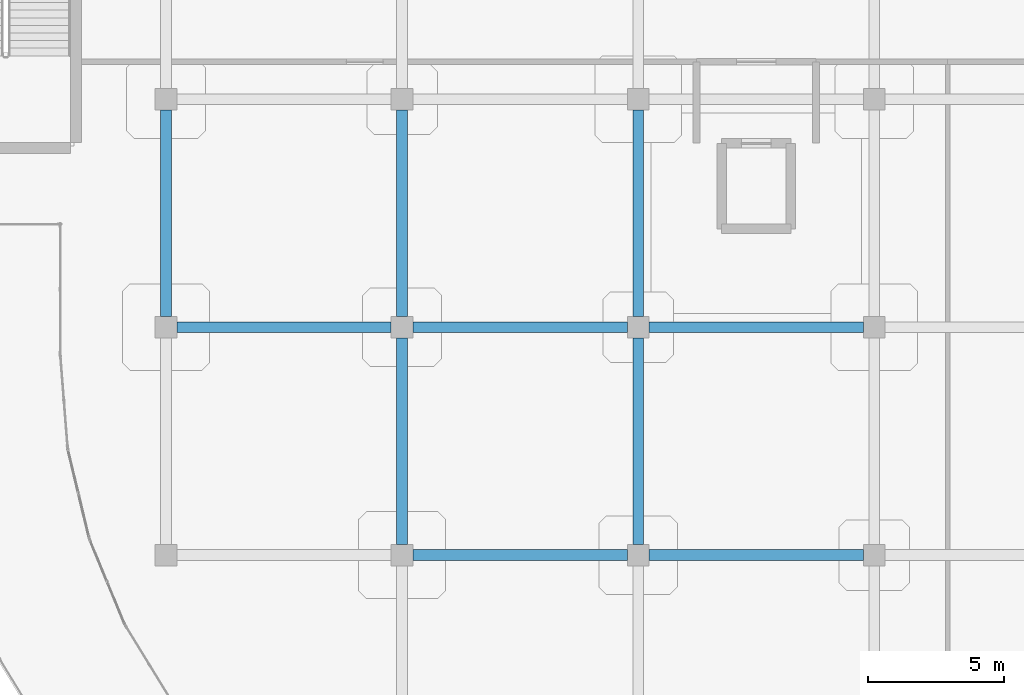
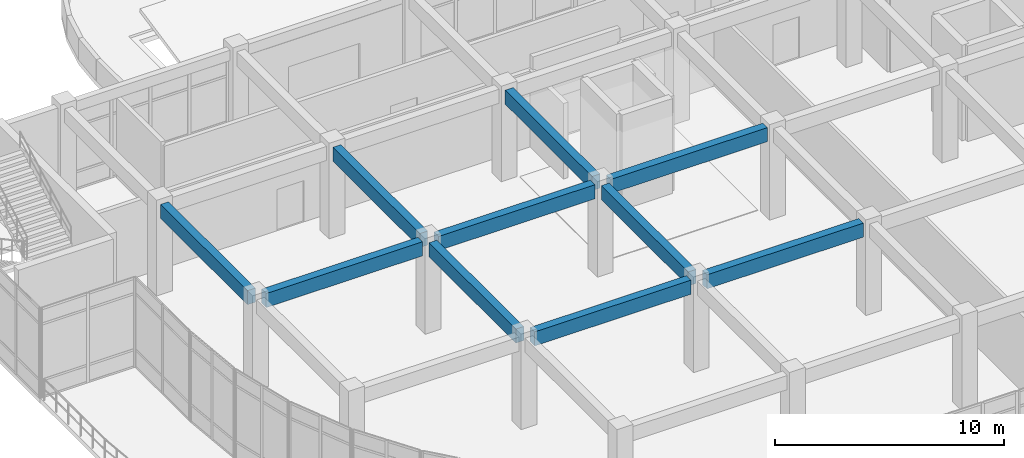
# One storey, part 9 of 124: 10 beams.
"""IFC4 building model written with IfcOpenShell, lengths in metres."""

import ifcopenshell
import ifcopenshell.guid

model = None  # the IFC model being written
_history = None  # IfcOwnerHistory: only IFC2X3 demands one
_inside = {}  # id of a spatial element -> (the spatial element, [elements in it])
_under = {}  # id of a project, library or spatial element -> (it, [spatial elements below it])
_declared = {}  # id of a project -> (the project, [libraries it declares])
_typed = {}  # id of a type object -> (the type object, [elements of that type])
_made_of = {}  # id of a material, layer set ... -> (it, [elements and type objects made of it])


def new_model(schema):
    """Start an empty IFC model of exactly this schema.

    Asked for "IFC4X3", IfcOpenShell would pick the latest addendum, in which some entities
    have other attributes; the version numbers below select the first issue.
    IFC2X3 requires an IfcOwnerHistory on every rooted entity: one is made here for all.
    """
    global model, _history
    if schema == "IFC4X3":
        model = ifcopenshell.file(schema_version=(4, 3, 0, 0))
    else:
        model = ifcopenshell.file(schema=schema)
    _inside.clear()
    _under.clear()
    _declared.clear()
    _typed.clear()
    _made_of.clear()
    _history = None
    if model.schema == "IFC2X3":
        org = make("IfcOrganization", Name="unknown")
        user = make(
            "IfcPersonAndOrganization",
            ThePerson=make("IfcPerson", FamilyName="unknown"),
            TheOrganization=org,
        )
        app = make(
            "IfcApplication",
            ApplicationDeveloper=org,
            Version="unknown",
            ApplicationFullName="unknown",
            ApplicationIdentifier="unknown",
        )
        _history = make(
            "IfcOwnerHistory",
            OwningUser=user,
            OwningApplication=app,
            ChangeAction="ADDED",
            CreationDate=0,
        )
    return model


def make(cls, **values):
    """One entity of the class cls with the attributes given. An attribute that is None is left unset."""
    return model.create_entity(
        cls, **{name: value for name, value in values.items() if value is not None}
    )


def rooted(cls, **values):
    """An entity with a GlobalId (a new one), such as an element, a storey or a relation."""
    return make(cls, GlobalId=ifcopenshell.guid.new(), OwnerHistory=_history, **values)


def si_unit(unit_type, name, prefix=None):
    """IfcSIUnit, for example si_unit("LENGTHUNIT", "METRE", prefix="MILLI")."""
    return make("IfcSIUnit", UnitType=unit_type, Prefix=prefix, Name=name)


def derived_unit(unit_type, elements):
    """IfcDerivedUnit: a product of units, each with its exponent."""
    return make(
        "IfcDerivedUnit",
        Elements=[
            make("IfcDerivedUnitElement", Unit=unit, Exponent=power)
            for unit, power in elements
        ],
        UnitType=unit_type,
    )


def assignment(units):
    """IfcUnitAssignment: the units of a project."""
    return None if units is None else make("IfcUnitAssignment", Units=units)


def point(xyz):
    """IfcCartesianPoint."""
    return None if xyz is None else make("IfcCartesianPoint", Coordinates=xyz)


def direction(xyz):
    """IfcDirection."""
    return None if xyz is None else make("IfcDirection", DirectionRatios=xyz)


def frame(location, z_axis=None, x_axis=None):
    """IfcAxis2Placement3D, a coordinate frame: its origin and axes. An axis left out is left unset."""
    return make(
        "IfcAxis2Placement3D",
        Location=point(location),
        Axis=direction(z_axis),
        RefDirection=direction(x_axis),
    )


def frame_2d(location, x_axis=None):
    """IfcAxis2Placement2D, a coordinate frame in the plane: its origin and x axis."""
    return make(
        "IfcAxis2Placement2D", Location=point(location), RefDirection=direction(x_axis)
    )


def origin():
    """The frame at (0, 0, 0) with its axes left unset."""
    return frame((0.0, 0.0, 0.0))


def origin_2d():
    """The frame at (0, 0) in the plane with its x axis left unset."""
    return frame_2d((0.0, 0.0))


def place(relative_to, where):
    """IfcLocalPlacement: puts the frame where relative to a parent placement (None: the world)."""
    return make(
        "IfcLocalPlacement", PlacementRelTo=relative_to, RelativePlacement=where
    )


def context(
    kind, dimensions, precision=None, world=None, true_north=None, identifier=None
):
    """IfcGeometricRepresentationContext, for example the 3D "Model" context."""
    return make(
        "IfcGeometricRepresentationContext",
        ContextIdentifier=identifier,
        ContextType=kind,
        CoordinateSpaceDimension=dimensions,
        Precision=precision,
        WorldCoordinateSystem=world,
        TrueNorth=true_north,
    )


def subcontext(parent, identifier, kind, view, scale=None):
    """IfcGeometricRepresentationSubContext, for example "Body" below "Model"."""
    return make(
        "IfcGeometricRepresentationSubContext",
        ContextIdentifier=identifier,
        ContextType=kind,
        ParentContext=parent,
        TargetScale=scale,
        TargetView=view,
    )


def project(units=None, contexts=None):
    """IfcProject with its units and contexts."""
    return rooted(
        "IfcProject",
        Name="project",
        RepresentationContexts=contexts,
        UnitsInContext=assignment(units),
    )


def spatial(cls, under=None, at=None, **own):
    """A site, building, storey or space (cls), placed at a placement, below another one or the project."""
    s = rooted(cls, ObjectPlacement=at, **own)
    if under is not None:
        _under.setdefault(under.id(), (under, []))[1].append(s)
    return s


def profile(cls, at=None, kind="AREA", **sizes):
    """A parametric profile (cls). Its sizes go by their IFC names, for example OverallWidth=200.0."""
    return make(cls, ProfileType=kind, Position=at, **sizes)


def rectangle(**sizes):
    """IfcRectangleProfileDef."""
    return profile("IfcRectangleProfileDef", **sizes)


def extrude(swept, where, along, depth):
    """IfcExtrudedAreaSolid: the profile swept, set in the frame where, extruded along a direction by depth."""
    return make(
        "IfcExtrudedAreaSolid",
        SweptArea=swept,
        Position=where,
        ExtrudedDirection=direction(along),
        Depth=depth,
    )


def shape(context_of_items, identifier, shape_type, items):
    """IfcShapeRepresentation: the items that make up one representation, for example the "Body"."""
    return make(
        "IfcShapeRepresentation",
        ContextOfItems=context_of_items,
        RepresentationIdentifier=identifier,
        RepresentationType=shape_type,
        Items=items,
    )


def material(Name=None, Category=None):
    """IfcMaterial."""
    return make("IfcMaterial", Name=Name, Category=Category)


def material_profile(
    of_material, cross_section, Name=None, Category=None, Priority=None
):
    """IfcMaterialProfile: a cross section and its material."""
    return make(
        "IfcMaterialProfile",
        Name=Name,
        Material=of_material,
        Profile=cross_section,
        Priority=Priority,
        Category=Category,
    )


def profile_set(profiles, Name=None, composite=None):
    """IfcMaterialProfileSet."""
    return make(
        "IfcMaterialProfileSet",
        Name=Name,
        MaterialProfiles=profiles,
        CompositeProfile=composite,
    )


def made_of(thing, what):
    """Note that an element or type object is made of a material, layer set ...; save() writes the relation."""
    if what is not None:
        _made_of.setdefault(what.id(), (what, []))[1].append(thing)
    return thing


def type_object(cls, material=None, **own):
    """A type object (cls), such as IfcWallType, which elements share."""
    return made_of(rooted(cls, **own), material)


def element(
    cls,
    number,
    at=None,
    inside=None,
    cuts=None,
    type_object=None,
    material=None,
    context=None,
    identifier="Body",
    shape_type=None,
    held_by="IfcProductDefinitionShape",
    body=None,
    shapes=None,
    **own,
):
    """One element of the class cls, such as IfcWall. Its Tag is "e" and its number.

    at: its placement. inside: the storey or other place that contains it. cuts: it is an
    opening in that element (IfcRelVoidsElement). A single representation is given by context,
    identifier, shape_type and body (its items); several are given by shapes. held_by: the class
    of the entity that holds the representations. save() writes the other relations.
    """
    e = rooted(cls, Tag="e%d" % number, ObjectPlacement=at, **own)
    if body is not None:
        shapes = [shape(context, identifier, shape_type, body)]
    if shapes is not None:
        e.Representation = make(held_by, Representations=shapes)
    if inside is not None:
        _inside.setdefault(inside.id(), (inside, []))[1].append(e)
    if cuts is not None:
        rooted(
            "IfcRelVoidsElement", RelatingBuildingElement=cuts, RelatedOpeningElement=e
        )
    if type_object is not None:
        _typed.setdefault(type_object.id(), (type_object, []))[1].append(e)
    return made_of(e, material)


def aggregate(whole, parts):
    """IfcRelAggregates: a whole, such as a stair, and the parts it consists of."""
    return rooted("IfcRelAggregates", RelatingObject=whole, RelatedObjects=parts)


def save(model, path):
    """Write the relations noted so far, then the file.

    IfcRelAggregates (storeys below a building ...), IfcRelContainedInSpatialStructure (elements
    in a storey), IfcRelDefinesByType, IfcRelAssociatesMaterial and IfcRelDeclares: one each for
    every whole, place, type object, material and project.
    """
    for whole, parts in _under.values():
        aggregate(whole, parts)
    for where, things in _inside.values():
        rooted(
            "IfcRelContainedInSpatialStructure",
            RelatedElements=things,
            RelatingStructure=where,
        )
    for kind, things in _typed.values():
        rooted("IfcRelDefinesByType", RelatedObjects=things, RelatingType=kind)
    for what, things in _made_of.values():
        rooted("IfcRelAssociatesMaterial", RelatedObjects=things, RelatingMaterial=what)
    for by, libraries in _declared.values():
        rooted("IfcRelDeclares", RelatingContext=by, RelatedDefinitions=libraries)
    model.write(path)


model = new_model("IFC4")

# Units and contexts
model_context = context("Model", 3, precision=1e-05, world=origin(), true_north=direction((0.0, 1.0)))
body_context = subcontext(model_context, "Body", "Model", "MODEL_VIEW")
ifc_project = project(units=[si_unit("LENGTHUNIT", "METRE"), si_unit("AREAUNIT", "SQUARE_METRE"), si_unit("VOLUMEUNIT", "CUBIC_METRE"), si_unit("PLANEANGLEUNIT", "RADIAN"), si_unit("MASSUNIT", "GRAM", prefix="KILO"), derived_unit("THERMALTRANSMITTANCEUNIT", [(si_unit("MASSUNIT", "GRAM", prefix="KILO"), 1), (si_unit("TIMEUNIT", "SECOND"), -3), (si_unit("THERMODYNAMICTEMPERATUREUNIT", "KELVIN"), -1)])], contexts=[model_context])

# Site, building, storey
site_placement = place(None, origin())
site = spatial("IfcSite", under=ifc_project, at=site_placement, CompositionType="ELEMENT")
building_placement = place(site_placement, origin())
building = spatial("IfcBuilding", under=site, at=building_placement, Name="Qinzheling Arcade Emporium", CompositionType="ELEMENT")
storey_placement = place(building_placement, frame((0.0, 0.0, 16.5)))
storey = spatial("IfcBuildingStorey", under=building, at=storey_placement, Name="L04", CompositionType="ELEMENT", Elevation=16.5)

# Beams
ifc_material = material(Name="Concrete C40", Category="concrete")
ifc_material_profile = material_profile(ifc_material, rectangle(XDim=0.39990234375, YDim=0.75, at=origin_2d()), Name="RC 400x750", Category="concrete")
ifc_profile_set = profile_set([ifc_material_profile], Name="Concrete C40")
beam_type = type_object("IfcBeamType", Name="RC Interior Tie Beam 400x750 C40", PredefinedType="BEAM", material=ifc_profile_set)
for number, where, z_axis, x_axis, name in (
    (1, (17.800048828125, 16.800048828125, 4.445068359375), (1.0, 0.0, 0.0), (0.0, 1.0, 0.0), "Beam BM-L04-X-C-3"),
    (2, (26.5, 16.800048828125, 4.445068359375), (1.0, 0.0, 0.0), (0.0, 1.0, 0.0), "Beam BM-L04-X-C-4"),
    (3, (9.10009765625, 25.199951171875, 4.445068359375), (1.0, 0.0, 0.0), (0.0, 1.0, 0.0), "Beam BM-L04-X-D-2"),
    (4, (17.800048828125, 25.199951171875, 4.445068359375), (1.0, 0.0, 0.0), (0.0, 1.0, 0.0), "Beam BM-L04-X-D-3"),
    (5, (26.5, 25.199951171875, 4.445068359375), (1.0, 0.0, 0.0), (0.0, 1.0, 0.0), "Beam BM-L04-X-D-4"),
):
    element("IfcBeam", number, at=place(storey_placement, frame(where, z_axis=z_axis, x_axis=x_axis)), inside=storey, type_object=beam_type, Name=name, PredefinedType="BEAM", context=body_context, shape_type="SweptSolid", body=[
        extrude(rectangle(XDim=0.39990234375, YDim=0.75, at=origin_2d()), origin(), (0.0, 0.0, 1.0), 7.89990234375),
    ])
beam_1_placement = place(storey_placement, frame((8.699951171875, 25.60009765625, 4.445068359375), z_axis=(0.0, 1.0, 0.0), x_axis=(-1.0, 0.0, 0.0)))
element("IfcBeam", 6, at=beam_1_placement, inside=storey, type_object=beam_type, Name="Beam BM-L04-Y-2-D", PredefinedType="BEAM", context=body_context, shape_type="SweptSolid", body=[
    extrude(rectangle(XDim=0.39990234375, YDim=0.75, at=origin_2d()), origin(), (0.0, 0.0, 1.0), 7.599853515625),
])
beam_2_placement = place(storey_placement, frame((17.39990234375, 17.199951171875, 4.445068359375), z_axis=(0.0, 1.0, 0.0), x_axis=(-1.0, 0.0, 0.0)))
element("IfcBeam", 7, at=beam_2_placement, inside=storey, type_object=beam_type, Name="Beam BM-L04-Y-3-C", PredefinedType="BEAM", context=body_context, shape_type="SweptSolid", body=[
    extrude(rectangle(XDim=0.39990234375, YDim=0.75, at=origin_2d()), origin(), (0.0, 0.0, 1.0), 7.60009765625),
])
beam_3_placement = place(storey_placement, frame((17.39990234375, 25.60009765625, 4.445068359375), z_axis=(0.0, 1.0, 0.0), x_axis=(-1.0, 0.0, 0.0)))
element("IfcBeam", 8, at=beam_3_placement, inside=storey, type_object=beam_type, Name="Beam BM-L04-Y-3-D", PredefinedType="BEAM", context=body_context, shape_type="SweptSolid", body=[
    extrude(rectangle(XDim=0.39990234375, YDim=0.75, at=origin_2d()), origin(), (0.0, 0.0, 1.0), 7.599853515625),
])
beam_4_placement = place(storey_placement, frame((26.10009765625, 17.199951171875, 4.445068359375), z_axis=(0.0, 1.0, 0.0), x_axis=(-1.0, 0.0, 0.0)))
element("IfcBeam", 9, at=beam_4_placement, inside=storey, type_object=beam_type, Name="Beam BM-L04-Y-4-C", PredefinedType="BEAM", context=body_context, shape_type="SweptSolid", body=[
    extrude(rectangle(XDim=0.39990234375, YDim=0.75, at=origin_2d()), origin(), (0.0, 0.0, 1.0), 7.60009765625),
])
beam_5_placement = place(storey_placement, frame((26.10009765625, 25.60009765625, 4.445068359375), z_axis=(0.0, 1.0, 0.0), x_axis=(-1.0, 0.0, 0.0)))
element("IfcBeam", 10, at=beam_5_placement, inside=storey, type_object=beam_type, Name="Beam BM-L04-Y-4-D", PredefinedType="BEAM", context=body_context, shape_type="SweptSolid", body=[
    extrude(rectangle(XDim=0.39990234375, YDim=0.75, at=origin_2d()), origin(), (0.0, 0.0, 1.0), 7.599853515625),
])

save(model, "model.ifc")
